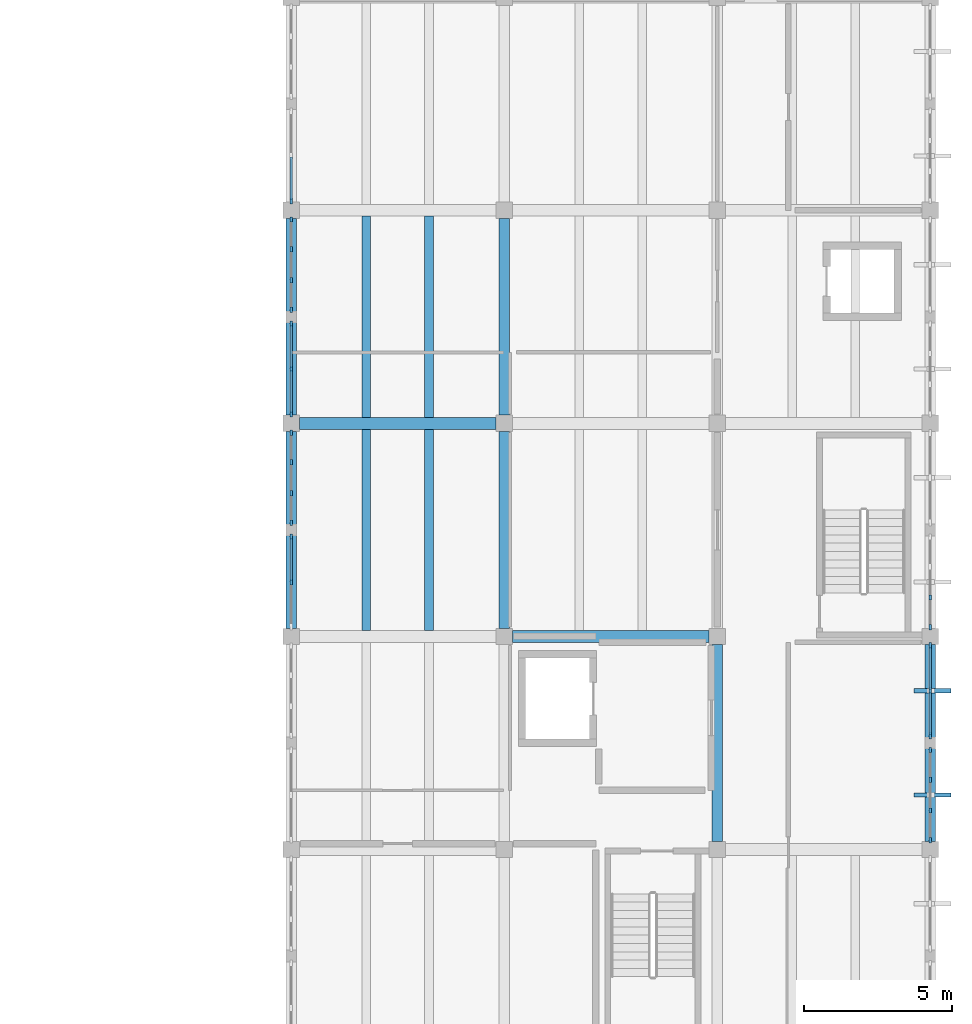
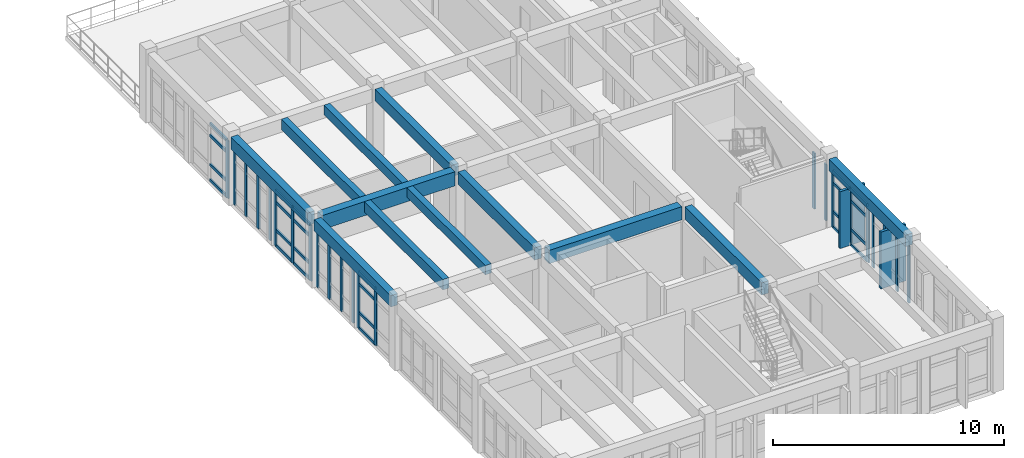
# One storey, part 4 of 22: 49 members, 12 beams, 8 elements without a shape of their own.
"""IFC4 building model written with IfcOpenShell, lengths in metres."""

import ifcopenshell
import ifcopenshell.guid

model = None  # the IFC model being written
_history = None  # IfcOwnerHistory: only IFC2X3 demands one
_inside = {}  # id of a spatial element -> (the spatial element, [elements in it])
_under = {}  # id of a project, library or spatial element -> (it, [spatial elements below it])
_declared = {}  # id of a project -> (the project, [libraries it declares])
_typed = {}  # id of a type object -> (the type object, [elements of that type])
_made_of = {}  # id of a material, layer set ... -> (it, [elements and type objects made of it])


def new_model(schema):
    """Start an empty IFC model of exactly this schema.

    Asked for "IFC4X3", IfcOpenShell would pick the latest addendum, in which some entities
    have other attributes; the version numbers below select the first issue.
    IFC2X3 requires an IfcOwnerHistory on every rooted entity: one is made here for all.
    """
    global model, _history
    if schema == "IFC4X3":
        model = ifcopenshell.file(schema_version=(4, 3, 0, 0))
    else:
        model = ifcopenshell.file(schema=schema)
    _inside.clear()
    _under.clear()
    _declared.clear()
    _typed.clear()
    _made_of.clear()
    _history = None
    if model.schema == "IFC2X3":
        org = make("IfcOrganization", Name="unknown")
        user = make(
            "IfcPersonAndOrganization",
            ThePerson=make("IfcPerson", FamilyName="unknown"),
            TheOrganization=org,
        )
        app = make(
            "IfcApplication",
            ApplicationDeveloper=org,
            Version="unknown",
            ApplicationFullName="unknown",
            ApplicationIdentifier="unknown",
        )
        _history = make(
            "IfcOwnerHistory",
            OwningUser=user,
            OwningApplication=app,
            ChangeAction="ADDED",
            CreationDate=0,
        )
    return model


def make(cls, **values):
    """One entity of the class cls with the attributes given. An attribute that is None is left unset."""
    return model.create_entity(
        cls, **{name: value for name, value in values.items() if value is not None}
    )


def rooted(cls, **values):
    """An entity with a GlobalId (a new one), such as an element, a storey or a relation."""
    return make(cls, GlobalId=ifcopenshell.guid.new(), OwnerHistory=_history, **values)


def si_unit(unit_type, name, prefix=None):
    """IfcSIUnit, for example si_unit("LENGTHUNIT", "METRE", prefix="MILLI")."""
    return make("IfcSIUnit", UnitType=unit_type, Prefix=prefix, Name=name)


def assignment(units):
    """IfcUnitAssignment: the units of a project."""
    return None if units is None else make("IfcUnitAssignment", Units=units)


def point(xyz):
    """IfcCartesianPoint."""
    return None if xyz is None else make("IfcCartesianPoint", Coordinates=xyz)


def direction(xyz):
    """IfcDirection."""
    return None if xyz is None else make("IfcDirection", DirectionRatios=xyz)


def frame(location, z_axis=None, x_axis=None):
    """IfcAxis2Placement3D, a coordinate frame: its origin and axes. An axis left out is left unset."""
    return make(
        "IfcAxis2Placement3D",
        Location=point(location),
        Axis=direction(z_axis),
        RefDirection=direction(x_axis),
    )


def frame_2d(location, x_axis=None):
    """IfcAxis2Placement2D, a coordinate frame in the plane: its origin and x axis."""
    return make(
        "IfcAxis2Placement2D", Location=point(location), RefDirection=direction(x_axis)
    )


def origin():
    """The frame at (0, 0, 0) with its axes left unset."""
    return frame((0.0, 0.0, 0.0))


def origin_2d():
    """The frame at (0, 0) in the plane with its x axis left unset."""
    return frame_2d((0.0, 0.0))


def place(relative_to, where):
    """IfcLocalPlacement: puts the frame where relative to a parent placement (None: the world)."""
    return make(
        "IfcLocalPlacement", PlacementRelTo=relative_to, RelativePlacement=where
    )


def context(
    kind, dimensions, precision=None, world=None, true_north=None, identifier=None
):
    """IfcGeometricRepresentationContext, for example the 3D "Model" context."""
    return make(
        "IfcGeometricRepresentationContext",
        ContextIdentifier=identifier,
        ContextType=kind,
        CoordinateSpaceDimension=dimensions,
        Precision=precision,
        WorldCoordinateSystem=world,
        TrueNorth=true_north,
    )


def subcontext(parent, identifier, kind, view, scale=None):
    """IfcGeometricRepresentationSubContext, for example "Body" below "Model"."""
    return make(
        "IfcGeometricRepresentationSubContext",
        ContextIdentifier=identifier,
        ContextType=kind,
        ParentContext=parent,
        TargetScale=scale,
        TargetView=view,
    )


def project(units=None, contexts=None):
    """IfcProject with its units and contexts."""
    return rooted(
        "IfcProject",
        Name="project",
        RepresentationContexts=contexts,
        UnitsInContext=assignment(units),
    )


def spatial(cls, under=None, at=None, **own):
    """A site, building, storey or space (cls), placed at a placement, below another one or the project."""
    s = rooted(cls, ObjectPlacement=at, **own)
    if under is not None:
        _under.setdefault(under.id(), (under, []))[1].append(s)
    return s


def profile(cls, at=None, kind="AREA", **sizes):
    """A parametric profile (cls). Its sizes go by their IFC names, for example OverallWidth=200.0."""
    return make(cls, ProfileType=kind, Position=at, **sizes)


def rectangle(**sizes):
    """IfcRectangleProfileDef."""
    return profile("IfcRectangleProfileDef", **sizes)


def extrude(swept, where, along, depth):
    """IfcExtrudedAreaSolid: the profile swept, set in the frame where, extruded along a direction by depth."""
    return make(
        "IfcExtrudedAreaSolid",
        SweptArea=swept,
        Position=where,
        ExtrudedDirection=direction(along),
        Depth=depth,
    )


def shape(context_of_items, identifier, shape_type, items):
    """IfcShapeRepresentation: the items that make up one representation, for example the "Body"."""
    return make(
        "IfcShapeRepresentation",
        ContextOfItems=context_of_items,
        RepresentationIdentifier=identifier,
        RepresentationType=shape_type,
        Items=items,
    )


def material(Name=None, Category=None):
    """IfcMaterial."""
    return make("IfcMaterial", Name=Name, Category=Category)


def layer(
    of_material, thickness, ventilated=None, Name=None, Category=None, Priority=None
):
    """IfcMaterialLayer: one layer of a wall or slab, of a material (None: an air gap)."""
    return make(
        "IfcMaterialLayer",
        Material=of_material,
        LayerThickness=thickness,
        IsVentilated=ventilated,
        Name=Name,
        Category=Category,
        Priority=Priority,
    )


def layer_set(layers, Name=None):
    """IfcMaterialLayerSet."""
    return make("IfcMaterialLayerSet", MaterialLayers=layers, LayerSetName=Name)


def material_profile(
    of_material, cross_section, Name=None, Category=None, Priority=None
):
    """IfcMaterialProfile: a cross section and its material."""
    return make(
        "IfcMaterialProfile",
        Name=Name,
        Material=of_material,
        Profile=cross_section,
        Priority=Priority,
        Category=Category,
    )


def profile_set(profiles, Name=None, composite=None):
    """IfcMaterialProfileSet."""
    return make(
        "IfcMaterialProfileSet",
        Name=Name,
        MaterialProfiles=profiles,
        CompositeProfile=composite,
    )


def made_of(thing, what):
    """Note that an element or type object is made of a material, layer set ...; save() writes the relation."""
    if what is not None:
        _made_of.setdefault(what.id(), (what, []))[1].append(thing)
    return thing


def type_object(cls, material=None, **own):
    """A type object (cls), such as IfcWallType, which elements share."""
    return made_of(rooted(cls, **own), material)


def element(
    cls,
    number,
    at=None,
    inside=None,
    cuts=None,
    type_object=None,
    material=None,
    context=None,
    identifier="Body",
    shape_type=None,
    held_by="IfcProductDefinitionShape",
    body=None,
    shapes=None,
    **own,
):
    """One element of the class cls, such as IfcWall. Its Tag is "e" and its number.

    at: its placement. inside: the storey or other place that contains it. cuts: it is an
    opening in that element (IfcRelVoidsElement). A single representation is given by context,
    identifier, shape_type and body (its items); several are given by shapes. held_by: the class
    of the entity that holds the representations. save() writes the other relations.
    """
    e = rooted(cls, Tag="e%d" % number, ObjectPlacement=at, **own)
    if body is not None:
        shapes = [shape(context, identifier, shape_type, body)]
    if shapes is not None:
        e.Representation = make(held_by, Representations=shapes)
    if inside is not None:
        _inside.setdefault(inside.id(), (inside, []))[1].append(e)
    if cuts is not None:
        rooted(
            "IfcRelVoidsElement", RelatingBuildingElement=cuts, RelatedOpeningElement=e
        )
    if type_object is not None:
        _typed.setdefault(type_object.id(), (type_object, []))[1].append(e)
    return made_of(e, material)


def aggregate(whole, parts):
    """IfcRelAggregates: a whole, such as a stair, and the parts it consists of."""
    return rooted("IfcRelAggregates", RelatingObject=whole, RelatedObjects=parts)


def save(model, path):
    """Write the relations noted so far, then the file.

    IfcRelAggregates (storeys below a building ...), IfcRelContainedInSpatialStructure (elements
    in a storey), IfcRelDefinesByType, IfcRelAssociatesMaterial and IfcRelDeclares: one each for
    every whole, place, type object, material and project.
    """
    for whole, parts in _under.values():
        aggregate(whole, parts)
    for where, things in _inside.values():
        rooted(
            "IfcRelContainedInSpatialStructure",
            RelatedElements=things,
            RelatingStructure=where,
        )
    for kind, things in _typed.values():
        rooted("IfcRelDefinesByType", RelatedObjects=things, RelatingType=kind)
    for what, things in _made_of.values():
        rooted("IfcRelAssociatesMaterial", RelatedObjects=things, RelatingMaterial=what)
    for by, libraries in _declared.values():
        rooted("IfcRelDeclares", RelatingContext=by, RelatedDefinitions=libraries)
    model.write(path)


model = new_model("IFC4")

# Units and contexts
model_context = context("Model", 3, precision=1e-05, world=origin(), true_north=direction((0.0, 1.0)))
body_context = subcontext(model_context, "Body", "Model", "MODEL_VIEW")
ifc_project = project(units=[si_unit("LENGTHUNIT", "METRE"), si_unit("AREAUNIT", "SQUARE_METRE"), si_unit("VOLUMEUNIT", "CUBIC_METRE"), si_unit("PLANEANGLEUNIT", "RADIAN"), si_unit("MASSUNIT", "GRAM", prefix="KILO")], contexts=[model_context])

# Site, building, storey
site_placement = place(None, origin())
site = spatial("IfcSite", under=ifc_project, at=site_placement, CompositionType="ELEMENT")
building_placement = place(site_placement, origin())
building = spatial("IfcBuilding", under=site, at=building_placement, Name="Koriwan Promenade Central Fire Station", CompositionType="ELEMENT")
storey_placement = place(building_placement, frame((0.0, 0.0, 17.39990234375)))
storey = spatial("IfcBuildingStorey", under=building, at=storey_placement, Name="L04", CompositionType="ELEMENT", Elevation=17.39990234375)

# Beams
ifc_material_1 = material(Name="Concrete C35/45", Category="concrete")
ifc_material_profile_1 = material_profile(ifc_material_1, rectangle(XDim=0.300048828125, YDim=0.5, at=origin_2d()), Name="RC-BM-300x500")
ifc_profile_set_1 = profile_set([ifc_material_profile_1], Name="Concrete C35/45")
beam_type_1 = type_object("IfcBeamType", Name="Beam_RC-BM-300x500", PredefinedType="JOIST", material=ifc_profile_set_1)
beam_1_placement = place(storey_placement, frame((155.864013671875, 14.60009765625, 3.3701171875), z_axis=(0.0, 1.0, 0.0), x_axis=(-1.0, 0.0, 0.0)))
element("IfcBeam", 1, at=beam_1_placement, inside=storey, type_object=beam_type_1, Name="V5 L04 secondary joist 973", PredefinedType="JOIST", context=body_context, shape_type="SweptSolid", body=[
    extrude(rectangle(XDim=0.300048828125, YDim=0.5, at=origin_2d()), origin(), (0.0, 0.0, 1.0), 6.7998046875),
])
beam_2_placement = place(storey_placement, frame((155.864013671875, 21.800048828125, 3.3701171875), z_axis=(0.0, 1.0, 0.0), x_axis=(-1.0, 0.0, 0.0)))
element("IfcBeam", 2, at=beam_2_placement, inside=storey, type_object=beam_type_1, Name="V5 L04 secondary joist 977", PredefinedType="JOIST", context=body_context, shape_type="SweptSolid", body=[
    extrude(rectangle(XDim=0.300048828125, YDim=0.5, at=origin_2d()), origin(), (0.0, 0.0, 1.0), 6.800048828125),
])
ifc_material_profile_2 = material_profile(ifc_material_1, rectangle(XDim=0.300048828125, YDim=0.550048828125, at=origin_2d()), Name="RC-BM-300x550")
ifc_profile_set_2 = profile_set([ifc_material_profile_2], Name="Concrete C35/45")
beam_type_2 = type_object("IfcBeamType", Name="Beam_RC-BM-300x550", PredefinedType="JOIST", material=ifc_profile_set_2)
beam_3_placement = place(storey_placement, frame((153.736083984375, 14.60009765625, 3.34521484375), z_axis=(0.0, 1.0, 0.0), x_axis=(-1.0, 0.0, 0.0)))
element("IfcBeam", 3, at=beam_3_placement, inside=storey, type_object=beam_type_2, Name="V5 L04 secondary joist 972", PredefinedType="JOIST", context=body_context, shape_type="SweptSolid", body=[
    extrude(rectangle(XDim=0.300048828125, YDim=0.550048828125, at=origin_2d()), origin(), (0.0, 0.0, 1.0), 6.7998046875),
])
beam_4_placement = place(storey_placement, frame((153.736083984375, 21.800048828125, 3.34521484375), z_axis=(0.0, 1.0, 0.0), x_axis=(-1.0, 0.0, 0.0)))
element("IfcBeam", 4, at=beam_4_placement, inside=storey, type_object=beam_type_2, Name="V5 L04 secondary joist 976", PredefinedType="JOIST", context=body_context, shape_type="SweptSolid", body=[
    extrude(rectangle(XDim=0.300048828125, YDim=0.550048828125, at=origin_2d()), origin(), (0.0, 0.0, 1.0), 6.800048828125),
])
ifc_material_profile_3 = material_profile(ifc_material_1, rectangle(XDim=0.35009765625, YDim=0.60009765625, at=origin_2d()), Name="RC-BM-350x600")
ifc_profile_set_3 = profile_set([ifc_material_profile_3], Name="Concrete C35/45")
beam_type_3 = type_object("IfcBeamType", Name="Beam_RC-BM-350x600", PredefinedType="BEAM", material=ifc_profile_set_3)
for number, where, z_axis, x_axis, name in (
    (5, (151.199951171875, 14.675048828125, 3.320068359375), (0.0, 1.0, 0.0), (-1.0, 0.0, 0.0), "V5 L04 girder Y-948"),
    (6, (158.39990234375, 21.875, 3.320068359375), (0.0, 1.0, 0.0), (-1.0, 0.0, 0.0), "V5 L04 girder Y-954"),
    (7, (172.800048828125, 7.47509765625, 3.320068359375), (0.0, 1.0, 0.0), (-1.0, 0.0, 0.0), "V5 L04 girder Y-962"),
):
    element("IfcBeam", number, at=place(storey_placement, frame(where, z_axis=z_axis, x_axis=x_axis)), inside=storey, type_object=beam_type_3, Name=name, PredefinedType="BEAM", context=body_context, shape_type="SweptSolid", body=[
        extrude(rectangle(XDim=0.35009765625, YDim=0.60009765625, at=origin_2d()), origin(), (0.0, 0.0, 1.0), 6.64990234375),
    ])
ifc_material_profile_4 = material_profile(ifc_material_1, rectangle(XDim=0.35009765625, YDim=0.64990234375, at=origin_2d()), Name="RC-BM-350x650")
ifc_profile_set_4 = profile_set([ifc_material_profile_4], Name="Concrete C35/45")
beam_type_4 = type_object("IfcBeamType", Name="Beam_RC-BM-350x650", PredefinedType="BEAM", material=ifc_profile_set_4)
for number, where, z_axis, x_axis, name in (
    (8, (151.199951171875, 21.875, 3.295166015625), (0.0, 1.0, 0.0), (-1.0, 0.0, 0.0), "V5 L04 girder Y-949"),
    (9, (158.39990234375, 14.675048828125, 3.295166015625), (0.0, 1.0, 0.0), (-1.0, 0.0, 0.0), "V5 L04 girder Y-953"),
    (10, (165.60009765625, 7.47509765625, 3.295166015625), (0.0, 1.0, 0.0), (-1.0, 0.0, 0.0), "V5 L04 girder Y-957"),
):
    element("IfcBeam", number, at=place(storey_placement, frame(where, z_axis=z_axis, x_axis=x_axis)), inside=storey, type_object=beam_type_4, Name=name, PredefinedType="BEAM", context=body_context, shape_type="SweptSolid", body=[
        extrude(rectangle(XDim=0.35009765625, YDim=0.64990234375, at=origin_2d()), origin(), (0.0, 0.0, 1.0), 6.64990234375),
    ])
ifc_material_profile_5 = material_profile(ifc_material_1, rectangle(XDim=0.39990234375, YDim=0.699951171875, at=origin_2d()), Name="RC-BM-400x700")
ifc_profile_set_5 = profile_set([ifc_material_profile_5], Name="Concrete C35/45")
beam_type_5 = type_object("IfcBeamType", Name="Beam_RC-BM-400x700", PredefinedType="BEAM", material=ifc_profile_set_5)
beam_5_placement = place(storey_placement, frame((158.675048828125, 14.39990234375, 3.27001953125), z_axis=(1.0, 0.0, 0.0), x_axis=(0.0, 1.0, 0.0)))
element("IfcBeam", 11, at=beam_5_placement, inside=storey, type_object=beam_type_5, Name="V5 L04 girder X-936", PredefinedType="BEAM", context=body_context, shape_type="SweptSolid", body=[
    extrude(rectangle(XDim=0.39990234375, YDim=0.699951171875, at=origin_2d()), origin(), (0.0, 0.0, 1.0), 6.64990234375),
])
ifc_material_profile_6 = material_profile(ifc_material_1, rectangle(XDim=0.39990234375, YDim=0.75, at=origin_2d()), Name="RC-BM-400x750")
ifc_profile_set_6 = profile_set([ifc_material_profile_6], Name="Concrete C35/45")
beam_type_6 = type_object("IfcBeamType", Name="Beam_RC-BM-400x750", PredefinedType="BEAM", material=ifc_profile_set_6)
beam_6_placement = place(storey_placement, frame((151.47509765625, 21.60009765625, 3.2451171875), z_axis=(1.0, 0.0, 0.0), x_axis=(0.0, 1.0, 0.0)))
element("IfcBeam", 12, at=beam_6_placement, inside=storey, type_object=beam_type_6, Name="V5 L04 girder X-937", PredefinedType="BEAM", context=body_context, shape_type="SweptSolid", body=[
    extrude(rectangle(XDim=0.39990234375, YDim=0.75, at=origin_2d()), origin(), (0.0, 0.0, 1.0), 6.64990234375),
])

# Curtain wall, members
ifc_material_2 = material(Name="Aluminium EN AW-6063-T6 and low-E glazing", Category="aluminium")
ifc_layer_1 = layer(ifc_material_2, 0.159912109375, Name="Aluminium EN AW-6063-T6 and low-E glazing")
ifc_layer_set_1 = layer_set([ifc_layer_1], Name="Aluminium EN AW-6063-T6 and low-E glazing")
curtain_wall_type_1 = type_object("IfcCurtainWallType", Name="CurtainWall_84_312x301", PredefinedType="USERDEFINED", material=ifc_layer_set_1)
curtain_wall_1_placement = place(storey_placement, origin())
curtain_wall_1 = element("IfcCurtainWall", 13, at=curtain_wall_1_placement, inside=storey, type_object=curtain_wall_type_1, Name="V5 L04 unitised curtain wall 253", ObjectType="UNITISED CURTAIN WALL", PredefinedType="USERDEFINED")
ifc_material_3 = material(Name="Aluminium EN AW-6063-T6", Category="aluminium")
ifc_material_profile_7 = material_profile(ifc_material_3, rectangle(XDim=0.074951171875, YDim=0.179931640625, at=origin_2d()), Name="ALU-MUL-75x180")
ifc_profile_set_7 = profile_set([ifc_material_profile_7], Name="Aluminium EN AW-6063-T6")
member_type_1 = type_object("IfcMemberType", Name="CWMullion_ALU-MUL-75x180", PredefinedType="MULLION", material=ifc_profile_set_7)
member_1_placement = place(storey_placement, frame((172.800048828125, 7.512451171875, 0.0), z_axis=(0.0, 0.0, 1.0), x_axis=(-1.0, 0.0, 0.0)))
member_1 = element("IfcMember", 14, at=member_1_placement, type_object=member_type_1, Name="CW-84 mullion 1", PredefinedType="MULLION", context=body_context, shape_type="SweptSolid", body=[
    extrude(rectangle(XDim=0.074951171875, YDim=0.179931640625, at=origin_2d()), origin(), (0.0, 0.0, 1.0), 3.010009765625),
])
member_2_placement = place(storey_placement, frame((172.800048828125, 8.5166015625, 0.0), z_axis=(0.0, 0.0, 1.0), x_axis=(-1.0, 0.0, 0.0)))
member_2 = element("IfcMember", 15, at=member_2_placement, type_object=member_type_1, Name="CW-84 mullion 2", PredefinedType="MULLION", context=body_context, shape_type="SweptSolid", body=[
    extrude(rectangle(XDim=0.074951171875, YDim=0.179931640625, at=origin_2d()), origin(), (0.0, 0.0, 1.0), 3.010009765625),
])
member_3_placement = place(storey_placement, frame((172.800048828125, 9.558349609375, 0.0), z_axis=(0.0, 0.0, 1.0), x_axis=(-1.0, 0.0, 0.0)))
member_3 = element("IfcMember", 16, at=member_3_placement, type_object=member_type_1, Name="CW-84 mullion 3", PredefinedType="MULLION", context=body_context, shape_type="SweptSolid", body=[
    extrude(rectangle(XDim=0.074951171875, YDim=0.179931640625, at=origin_2d()), origin(), (0.0, 0.0, 1.0), 3.010009765625),
])
member_4_placement = place(storey_placement, frame((172.800048828125, 10.5625, 0.0), z_axis=(0.0, 0.0, 1.0), x_axis=(-1.0, 0.0, 0.0)))
member_4 = element("IfcMember", 17, at=member_4_placement, type_object=member_type_1, Name="CW-84 mullion 4", PredefinedType="MULLION", context=body_context, shape_type="SweptSolid", body=[
    extrude(rectangle(XDim=0.074951171875, YDim=0.179931640625, at=origin_2d()), origin(), (0.0, 0.0, 1.0), 3.010009765625),
])
aggregate(curtain_wall_1, [member_1, member_2, member_3, member_4])

ifc_layer_2 = layer(ifc_material_2, 0.159912109375, Name="Aluminium EN AW-6063-T6 and low-E glazing")
ifc_layer_set_2 = layer_set([ifc_layer_2], Name="Aluminium EN AW-6063-T6 and low-E glazing")
curtain_wall_type_2 = type_object("IfcCurtainWallType", Name="CurtainWall_82_312x296", PredefinedType="USERDEFINED", material=ifc_layer_set_2)
curtain_wall_2_placement = place(storey_placement, origin())
curtain_wall_2 = element("IfcCurtainWall", 18, at=curtain_wall_2_placement, inside=storey, type_object=curtain_wall_type_2, Name="V5 L04 unitised curtain wall 255", ObjectType="UNITISED CURTAIN WALL", PredefinedType="USERDEFINED")
member_5_placement = place(storey_placement, frame((172.800048828125, 14.71240234375, 0.0), z_axis=(0.0, 0.0, 1.0), x_axis=(-1.0, 0.0, 0.0)))
member_5 = element("IfcMember", 19, at=member_5_placement, type_object=member_type_1, Name="CW-82 mullion 1", PredefinedType="MULLION", context=body_context, shape_type="SweptSolid", body=[
    extrude(rectangle(XDim=0.074951171875, YDim=0.179931640625, at=origin_2d()), origin(), (0.0, 0.0, 1.0), 2.960205078125),
])
member_6_placement = place(storey_placement, frame((172.800048828125, 15.716552734375, 0.0), z_axis=(0.0, 0.0, 1.0), x_axis=(-1.0, 0.0, 0.0)))
member_6 = element("IfcMember", 20, at=member_6_placement, type_object=member_type_1, Name="CW-82 mullion 2", PredefinedType="MULLION", context=body_context, shape_type="SweptSolid", body=[
    extrude(rectangle(XDim=0.074951171875, YDim=0.179931640625, at=origin_2d()), origin(), (0.0, 0.0, 1.0), 2.960205078125),
])
aggregate(curtain_wall_2, [member_5, member_6])

curtain_wall_3_placement = place(storey_placement, origin())
curtain_wall_3 = element("IfcCurtainWall", 21, at=curtain_wall_3_placement, inside=storey, type_object=curtain_wall_type_2, Name="V5 L04 unitised curtain wall 263", ObjectType="UNITISED CURTAIN WALL", PredefinedType="USERDEFINED")
member_7_placement = place(storey_placement, frame((151.199951171875, 28.487548828125, 0.0), z_axis=(0.0, 0.0, 1.0), x_axis=(1.0, 0.0, 0.0)))
member_7 = element("IfcMember", 22, at=member_7_placement, type_object=member_type_1, Name="CW-82 mullion 1", PredefinedType="MULLION", context=body_context, shape_type="SweptSolid", body=[
    extrude(rectangle(XDim=0.074951171875, YDim=0.179931640625, at=origin_2d()), origin(), (0.0, 0.0, 1.0), 2.960205078125),
])
member_8_placement = place(storey_placement, frame((151.199951171875, 27.4833984375, 0.0), z_axis=(0.0, 0.0, 1.0), x_axis=(1.0, 0.0, 0.0)))
member_8 = element("IfcMember", 23, at=member_8_placement, type_object=member_type_1, Name="CW-82 mullion 2", PredefinedType="MULLION", context=body_context, shape_type="SweptSolid", body=[
    extrude(rectangle(XDim=0.074951171875, YDim=0.179931640625, at=origin_2d()), origin(), (0.0, 0.0, 1.0), 2.960205078125),
])
member_9_placement = place(storey_placement, frame((151.199951171875, 26.441650390625, 0.0), z_axis=(0.0, 0.0, 1.0), x_axis=(1.0, 0.0, 0.0)))
member_9 = element("IfcMember", 24, at=member_9_placement, type_object=member_type_1, Name="CW-82 mullion 3", PredefinedType="MULLION", context=body_context, shape_type="SweptSolid", body=[
    extrude(rectangle(XDim=0.074951171875, YDim=0.179931640625, at=origin_2d()), origin(), (0.0, 0.0, 1.0), 2.960205078125),
])
member_10_placement = place(storey_placement, frame((151.199951171875, 25.4375, 0.0), z_axis=(0.0, 0.0, 1.0), x_axis=(1.0, 0.0, 0.0)))
member_10 = element("IfcMember", 25, at=member_10_placement, type_object=member_type_1, Name="CW-82 mullion 4", PredefinedType="MULLION", context=body_context, shape_type="SweptSolid", body=[
    extrude(rectangle(XDim=0.074951171875, YDim=0.179931640625, at=origin_2d()), origin(), (0.0, 0.0, 1.0), 2.960205078125),
])
aggregate(curtain_wall_3, [member_7, member_8, member_9, member_10])

curtain_wall_4_placement = place(storey_placement, origin())
curtain_wall_4 = element("IfcCurtainWall", 26, at=curtain_wall_4_placement, inside=storey, type_object=curtain_wall_type_1, Name="V5 L04 unitised curtain wall 265", ObjectType="UNITISED CURTAIN WALL", PredefinedType="USERDEFINED")
member_11_placement = place(storey_placement, frame((151.199951171875, 21.28759765625, 0.0), z_axis=(0.0, 0.0, 1.0), x_axis=(1.0, 0.0, 0.0)))
member_11 = element("IfcMember", 27, at=member_11_placement, type_object=member_type_1, Name="CW-84 mullion 1", PredefinedType="MULLION", context=body_context, shape_type="SweptSolid", body=[
    extrude(rectangle(XDim=0.074951171875, YDim=0.179931640625, at=origin_2d()), origin(), (0.0, 0.0, 1.0), 3.010009765625),
])
member_12_placement = place(storey_placement, frame((151.199951171875, 20.283447265625, 0.0), z_axis=(0.0, 0.0, 1.0), x_axis=(1.0, 0.0, 0.0)))
member_12 = element("IfcMember", 28, at=member_12_placement, type_object=member_type_1, Name="CW-84 mullion 2", PredefinedType="MULLION", context=body_context, shape_type="SweptSolid", body=[
    extrude(rectangle(XDim=0.074951171875, YDim=0.179931640625, at=origin_2d()), origin(), (0.0, 0.0, 1.0), 3.010009765625),
])
member_13_placement = place(storey_placement, frame((151.199951171875, 19.24169921875, 0.0), z_axis=(0.0, 0.0, 1.0), x_axis=(1.0, 0.0, 0.0)))
member_13 = element("IfcMember", 29, at=member_13_placement, type_object=member_type_1, Name="CW-84 mullion 3", PredefinedType="MULLION", context=body_context, shape_type="SweptSolid", body=[
    extrude(rectangle(XDim=0.074951171875, YDim=0.179931640625, at=origin_2d()), origin(), (0.0, 0.0, 1.0), 3.010009765625),
])
member_14_placement = place(storey_placement, frame((151.199951171875, 18.237548828125, 0.0), z_axis=(0.0, 0.0, 1.0), x_axis=(1.0, 0.0, 0.0)))
member_14 = element("IfcMember", 30, at=member_14_placement, type_object=member_type_1, Name="CW-84 mullion 4", PredefinedType="MULLION", context=body_context, shape_type="SweptSolid", body=[
    extrude(rectangle(XDim=0.074951171875, YDim=0.179931640625, at=origin_2d()), origin(), (0.0, 0.0, 1.0), 3.010009765625),
])
aggregate(curtain_wall_4, [member_11, member_12, member_13, member_14])

ifc_layer_3 = layer(ifc_material_2, 0.159912109375, Name="Aluminium EN AW-6063-T6 and low-E glazing")
ifc_layer_set_3 = layer_set([ifc_layer_3], Name="Aluminium EN AW-6063-T6 and low-E glazing")
curtain_wall_type_3 = type_object("IfcCurtainWallType", Name="CurtainWall_85_312x301", PredefinedType="USERDEFINED", material=ifc_layer_set_3)
curtain_wall_5_placement = place(storey_placement, origin())
curtain_wall_5 = element("IfcCurtainWall", 31, at=curtain_wall_5_placement, inside=storey, type_object=curtain_wall_type_3, Name="V5 L04 unitised curtain wall 254", ObjectType="UNITISED CURTAIN WALL", PredefinedType="USERDEFINED")
ifc_material_profile_8 = material_profile(ifc_material_3, rectangle(XDim=0.080078125, YDim=0.2099609375, at=origin_2d()), Name="ALU-MUL-80x210")
ifc_profile_set_8 = profile_set([ifc_material_profile_8], Name="Aluminium EN AW-6063-T6")
member_type_2 = type_object("IfcMemberType", Name="CWMullion_ALU-MUL-80x210", PredefinedType="MULLION", material=ifc_profile_set_8)
member_15_placement = place(storey_placement, frame((172.800048828125, 11.0400390625, 0.0), z_axis=(0.0, 0.0, 1.0), x_axis=(-1.0, 0.0, 0.0)))
member_15 = element("IfcMember", 32, at=member_15_placement, type_object=member_type_2, Name="CW-85 mullion 1", PredefinedType="MULLION", context=body_context, shape_type="SweptSolid", body=[
    extrude(rectangle(XDim=0.080078125, YDim=0.2099609375, at=origin_2d()), origin(), (0.0, 0.0, 1.0), 3.010009765625),
])
member_16_placement = place(storey_placement, frame((172.800048828125, 12.5625, 0.0), z_axis=(0.0, 0.0, 1.0), x_axis=(-1.0, 0.0, 0.0)))
member_16 = element("IfcMember", 33, at=member_16_placement, type_object=member_type_2, Name="CW-85 mullion 2", PredefinedType="MULLION", context=body_context, shape_type="SweptSolid", body=[
    extrude(rectangle(XDim=0.080078125, YDim=0.2099609375, at=origin_2d()), origin(), (0.0, 0.0, 1.0), 3.010009765625),
])
member_17_placement = place(storey_placement, frame((172.800048828125, 14.0849609375, 0.0), z_axis=(0.0, 0.0, 1.0), x_axis=(-1.0, 0.0, 0.0)))
member_17 = element("IfcMember", 34, at=member_17_placement, type_object=member_type_2, Name="CW-85 mullion 3", PredefinedType="MULLION", context=body_context, shape_type="SweptSolid", body=[
    extrude(rectangle(XDim=0.080078125, YDim=0.2099609375, at=origin_2d()), origin(), (0.0, 0.0, 1.0), 3.010009765625),
])

# Curtain wall, member
ifc_layer_4 = layer(ifc_material_2, 0.159912109375, Name="Aluminium EN AW-6063-T6 and low-E glazing")
ifc_layer_set_4 = layer_set([ifc_layer_4], Name="Aluminium EN AW-6063-T6 and low-E glazing")
curtain_wall_type_4 = type_object("IfcCurtainWallType", Name="CurtainWall_89_313x305", PredefinedType="USERDEFINED", material=ifc_layer_set_4)
curtain_wall_6_placement = place(storey_placement, origin())
curtain_wall_6 = element("IfcCurtainWall", 35, at=curtain_wall_6_placement, inside=storey, type_object=curtain_wall_type_4, Name="V5 L04 unitised curtain wall 262", ObjectType="UNITISED CURTAIN WALL", PredefinedType="USERDEFINED")
member_18_placement = place(storey_placement, frame((151.199951171875, 29.114990234375, 0.0), z_axis=(0.0, 0.0, 1.0), x_axis=(1.0, 0.0, 0.0)))
member_18 = element("IfcMember", 36, at=member_18_placement, type_object=member_type_2, Name="CW-89 mullion 3", PredefinedType="MULLION", context=body_context, shape_type="SweptSolid", body=[
    extrude(rectangle(XDim=0.080078125, YDim=0.2099609375, at=origin_2d()), origin(), (0.0, 0.0, 1.0), 3.050048828125),
])

# Curtain wall, members
ifc_layer_5 = layer(ifc_material_2, 0.159912109375, Name="Aluminium EN AW-6063-T6 and low-E glazing")
ifc_layer_set_5 = layer_set([ifc_layer_5], Name="Aluminium EN AW-6063-T6 and low-E glazing")
curtain_wall_type_5 = type_object("IfcCurtainWallType", Name="CurtainWall_83_312x296", PredefinedType="USERDEFINED", material=ifc_layer_set_5)
curtain_wall_7_placement = place(storey_placement, origin())
curtain_wall_7 = element("IfcCurtainWall", 37, at=curtain_wall_7_placement, inside=storey, type_object=curtain_wall_type_5, Name="V5 L04 unitised curtain wall 264", ObjectType="UNITISED CURTAIN WALL", PredefinedType="USERDEFINED")
member_19_placement = place(storey_placement, frame((151.199951171875, 24.9599609375, 0.0), z_axis=(0.0, 0.0, 1.0), x_axis=(1.0, 0.0, 0.0)))
member_19 = element("IfcMember", 38, at=member_19_placement, type_object=member_type_2, Name="CW-83 mullion 1", PredefinedType="MULLION", context=body_context, shape_type="SweptSolid", body=[
    extrude(rectangle(XDim=0.080078125, YDim=0.2099609375, at=origin_2d()), origin(), (0.0, 0.0, 1.0), 2.960205078125),
])
member_20_placement = place(storey_placement, frame((151.199951171875, 23.4375, 0.0), z_axis=(0.0, 0.0, 1.0), x_axis=(1.0, 0.0, 0.0)))
member_20 = element("IfcMember", 39, at=member_20_placement, type_object=member_type_2, Name="CW-83 mullion 2", PredefinedType="MULLION", context=body_context, shape_type="SweptSolid", body=[
    extrude(rectangle(XDim=0.080078125, YDim=0.2099609375, at=origin_2d()), origin(), (0.0, 0.0, 1.0), 2.960205078125),
])
member_21_placement = place(storey_placement, frame((151.199951171875, 21.9150390625, 0.0), z_axis=(0.0, 0.0, 1.0), x_axis=(1.0, 0.0, 0.0)))
member_21 = element("IfcMember", 40, at=member_21_placement, type_object=member_type_2, Name="CW-83 mullion 3", PredefinedType="MULLION", context=body_context, shape_type="SweptSolid", body=[
    extrude(rectangle(XDim=0.080078125, YDim=0.2099609375, at=origin_2d()), origin(), (0.0, 0.0, 1.0), 2.960205078125),
])

curtain_wall_8_placement = place(storey_placement, origin())
curtain_wall_8 = element("IfcCurtainWall", 41, at=curtain_wall_8_placement, inside=storey, type_object=curtain_wall_type_3, Name="V5 L04 unitised curtain wall 266", ObjectType="UNITISED CURTAIN WALL", PredefinedType="USERDEFINED")
member_22_placement = place(storey_placement, frame((151.199951171875, 17.760009765625, 0.0), z_axis=(0.0, 0.0, 1.0), x_axis=(1.0, 0.0, 0.0)))
member_22 = element("IfcMember", 42, at=member_22_placement, type_object=member_type_2, Name="CW-85 mullion 1", PredefinedType="MULLION", context=body_context, shape_type="SweptSolid", body=[
    extrude(rectangle(XDim=0.080078125, YDim=0.2099609375, at=origin_2d()), origin(), (0.0, 0.0, 1.0), 3.010009765625),
])
member_23_placement = place(storey_placement, frame((151.199951171875, 16.237548828125, 0.0), z_axis=(0.0, 0.0, 1.0), x_axis=(1.0, 0.0, 0.0)))
member_23 = element("IfcMember", 43, at=member_23_placement, type_object=member_type_2, Name="CW-85 mullion 2", PredefinedType="MULLION", context=body_context, shape_type="SweptSolid", body=[
    extrude(rectangle(XDim=0.080078125, YDim=0.2099609375, at=origin_2d()), origin(), (0.0, 0.0, 1.0), 3.010009765625),
])

# Member
ifc_material_profile_9 = material_profile(ifc_material_3, rectangle(XDim=0.080078125, YDim=0.155029296875, at=origin_2d()), Name="ALU-TRN-80x155")
ifc_profile_set_9 = profile_set([ifc_material_profile_9], Name="Aluminium EN AW-6063-T6")
member_type_3 = type_object("IfcMemberType", Name="CWTransom_ALU-TRN-80x155", PredefinedType="USERDEFINED", material=ifc_profile_set_9)
member_24_placement = place(storey_placement, frame((172.800048828125, 11.080078125, 0.0400390625), z_axis=(0.0, 1.0, 0.0), x_axis=(-1.0, 0.0, 0.0)))
member_24 = element("IfcMember", 44, at=member_24_placement, type_object=member_type_3, Name="CW-85 transom 1.1", ObjectType="TRANSOM", PredefinedType="USERDEFINED", context=body_context, shape_type="SweptSolid", body=[
    extrude(rectangle(XDim=0.080078125, YDim=0.155029296875, at=origin_2d()), origin(), (0.0, 0.0, 1.0), 1.4423828125),
])

member_25_placement = place(storey_placement, frame((172.800048828125, 11.080078125, 0.85009765625), z_axis=(0.0, 1.0, 0.0), x_axis=(-1.0, 0.0, 0.0)))
member_25 = element("IfcMember", 45, at=member_25_placement, type_object=member_type_3, Name="CW-85 transom 1.2", ObjectType="TRANSOM", PredefinedType="USERDEFINED", context=body_context, shape_type="SweptSolid", body=[
    extrude(rectangle(XDim=0.080078125, YDim=0.155029296875, at=origin_2d()), origin(), (0.0, 0.0, 1.0), 1.4423828125),
])

member_26_placement = place(storey_placement, frame((172.800048828125, 11.080078125, 2.360107421875), z_axis=(0.0, 1.0, 0.0), x_axis=(-1.0, 0.0, 0.0)))
member_26 = element("IfcMember", 46, at=member_26_placement, type_object=member_type_3, Name="CW-85 transom 1.3", ObjectType="TRANSOM", PredefinedType="USERDEFINED", context=body_context, shape_type="SweptSolid", body=[
    extrude(rectangle(XDim=0.080078125, YDim=0.155029296875, at=origin_2d()), origin(), (0.0, 0.0, 1.0), 1.4423828125),
])

member_27_placement = place(storey_placement, frame((172.800048828125, 11.080078125, 2.97021484375), z_axis=(0.0, 1.0, 0.0), x_axis=(-1.0, 0.0, 0.0)))
member_27 = element("IfcMember", 47, at=member_27_placement, type_object=member_type_3, Name="CW-85 transom 1.4", ObjectType="TRANSOM", PredefinedType="USERDEFINED", context=body_context, shape_type="SweptSolid", body=[
    extrude(rectangle(XDim=0.080078125, YDim=0.155029296875, at=origin_2d()), origin(), (0.0, 0.0, 1.0), 1.4423828125),
])

member_28_placement = place(storey_placement, frame((172.800048828125, 12.6025390625, 0.0400390625), z_axis=(0.0, 1.0, 0.0), x_axis=(-1.0, 0.0, 0.0)))
member_28 = element("IfcMember", 48, at=member_28_placement, type_object=member_type_3, Name="CW-85 transom 2.1", ObjectType="TRANSOM", PredefinedType="USERDEFINED", context=body_context, shape_type="SweptSolid", body=[
    extrude(rectangle(XDim=0.080078125, YDim=0.155029296875, at=origin_2d()), origin(), (0.0, 0.0, 1.0), 1.4423828125),
])

member_29_placement = place(storey_placement, frame((172.800048828125, 12.6025390625, 0.85009765625), z_axis=(0.0, 1.0, 0.0), x_axis=(-1.0, 0.0, 0.0)))
member_29 = element("IfcMember", 49, at=member_29_placement, type_object=member_type_3, Name="CW-85 transom 2.2", ObjectType="TRANSOM", PredefinedType="USERDEFINED", context=body_context, shape_type="SweptSolid", body=[
    extrude(rectangle(XDim=0.080078125, YDim=0.155029296875, at=origin_2d()), origin(), (0.0, 0.0, 1.0), 1.4423828125),
])

member_30_placement = place(storey_placement, frame((172.800048828125, 12.6025390625, 2.360107421875), z_axis=(0.0, 1.0, 0.0), x_axis=(-1.0, 0.0, 0.0)))
member_30 = element("IfcMember", 50, at=member_30_placement, type_object=member_type_3, Name="CW-85 transom 2.3", ObjectType="TRANSOM", PredefinedType="USERDEFINED", context=body_context, shape_type="SweptSolid", body=[
    extrude(rectangle(XDim=0.080078125, YDim=0.155029296875, at=origin_2d()), origin(), (0.0, 0.0, 1.0), 1.4423828125),
])

member_31_placement = place(storey_placement, frame((172.800048828125, 12.6025390625, 2.97021484375), z_axis=(0.0, 1.0, 0.0), x_axis=(-1.0, 0.0, 0.0)))
member_31 = element("IfcMember", 51, at=member_31_placement, type_object=member_type_3, Name="CW-85 transom 2.4", ObjectType="TRANSOM", PredefinedType="USERDEFINED", context=body_context, shape_type="SweptSolid", body=[
    extrude(rectangle(XDim=0.080078125, YDim=0.155029296875, at=origin_2d()), origin(), (0.0, 0.0, 1.0), 1.4423828125),
])

aggregate(curtain_wall_5, [member_15, member_16, member_17, member_24, member_25, member_26, member_27, member_28, member_29, member_30, member_31])

member_32_placement = place(storey_placement, frame((151.199951171875, 30.597412109375, 0.0400390625), z_axis=(0.0, -1.0, 0.0), x_axis=(1.0, 0.0, 0.0)))
member_32 = element("IfcMember", 52, at=member_32_placement, type_object=member_type_3, Name="CW-89 transom 2.1", ObjectType="TRANSOM", PredefinedType="USERDEFINED", context=body_context, shape_type="SweptSolid", body=[
    extrude(rectangle(XDim=0.080078125, YDim=0.155029296875, at=origin_2d()), origin(), (0.0, 0.0, 1.0), 1.4423828125),
])

member_33_placement = place(storey_placement, frame((151.199951171875, 30.597412109375, 0.85009765625), z_axis=(0.0, -1.0, 0.0), x_axis=(1.0, 0.0, 0.0)))
member_33 = element("IfcMember", 53, at=member_33_placement, type_object=member_type_3, Name="CW-89 transom 2.2", ObjectType="TRANSOM", PredefinedType="USERDEFINED", context=body_context, shape_type="SweptSolid", body=[
    extrude(rectangle(XDim=0.080078125, YDim=0.155029296875, at=origin_2d()), origin(), (0.0, 0.0, 1.0), 1.4423828125),
])

member_34_placement = place(storey_placement, frame((151.199951171875, 30.597412109375, 2.400146484375), z_axis=(0.0, -1.0, 0.0), x_axis=(1.0, 0.0, 0.0)))
member_34 = element("IfcMember", 54, at=member_34_placement, type_object=member_type_3, Name="CW-89 transom 2.3", ObjectType="TRANSOM", PredefinedType="USERDEFINED", context=body_context, shape_type="SweptSolid", body=[
    extrude(rectangle(XDim=0.080078125, YDim=0.155029296875, at=origin_2d()), origin(), (0.0, 0.0, 1.0), 1.4423828125),
])

member_35_placement = place(storey_placement, frame((151.199951171875, 30.597412109375, 3.010009765625), z_axis=(0.0, -1.0, 0.0), x_axis=(1.0, 0.0, 0.0)))
member_35 = element("IfcMember", 55, at=member_35_placement, type_object=member_type_3, Name="CW-89 transom 2.4", ObjectType="TRANSOM", PredefinedType="USERDEFINED", context=body_context, shape_type="SweptSolid", body=[
    extrude(rectangle(XDim=0.080078125, YDim=0.155029296875, at=origin_2d()), origin(), (0.0, 0.0, 1.0), 1.4423828125),
])

aggregate(curtain_wall_6, [member_18, member_32, member_33, member_34, member_35])

member_36_placement = place(storey_placement, frame((151.199951171875, 24.919921875, 0.0400390625), z_axis=(0.0, -1.0, 0.0), x_axis=(1.0, 0.0, 0.0)))
member_36 = element("IfcMember", 56, at=member_36_placement, type_object=member_type_3, Name="CW-83 transom 1.1", ObjectType="TRANSOM", PredefinedType="USERDEFINED", context=body_context, shape_type="SweptSolid", body=[
    extrude(rectangle(XDim=0.080078125, YDim=0.155029296875, at=origin_2d()), origin(), (0.0, 0.0, 1.0), 1.4423828125),
])

member_37_placement = place(storey_placement, frame((151.199951171875, 24.919921875, 0.85009765625), z_axis=(0.0, -1.0, 0.0), x_axis=(1.0, 0.0, 0.0)))
member_37 = element("IfcMember", 57, at=member_37_placement, type_object=member_type_3, Name="CW-83 transom 1.2", ObjectType="TRANSOM", PredefinedType="USERDEFINED", context=body_context, shape_type="SweptSolid", body=[
    extrude(rectangle(XDim=0.080078125, YDim=0.155029296875, at=origin_2d()), origin(), (0.0, 0.0, 1.0), 1.4423828125),
])

member_38_placement = place(storey_placement, frame((151.199951171875, 24.919921875, 2.31005859375), z_axis=(0.0, -1.0, 0.0), x_axis=(1.0, 0.0, 0.0)))
member_38 = element("IfcMember", 58, at=member_38_placement, type_object=member_type_3, Name="CW-83 transom 1.3", ObjectType="TRANSOM", PredefinedType="USERDEFINED", context=body_context, shape_type="SweptSolid", body=[
    extrude(rectangle(XDim=0.080078125, YDim=0.155029296875, at=origin_2d()), origin(), (0.0, 0.0, 1.0), 1.4423828125),
])

member_39_placement = place(storey_placement, frame((151.199951171875, 24.919921875, 2.920166015625), z_axis=(0.0, -1.0, 0.0), x_axis=(1.0, 0.0, 0.0)))
member_39 = element("IfcMember", 59, at=member_39_placement, type_object=member_type_3, Name="CW-83 transom 1.4", ObjectType="TRANSOM", PredefinedType="USERDEFINED", context=body_context, shape_type="SweptSolid", body=[
    extrude(rectangle(XDim=0.080078125, YDim=0.155029296875, at=origin_2d()), origin(), (0.0, 0.0, 1.0), 1.4423828125),
])

member_40_placement = place(storey_placement, frame((151.199951171875, 23.3974609375, 0.0400390625), z_axis=(0.0, -1.0, 0.0), x_axis=(1.0, 0.0, 0.0)))
member_40 = element("IfcMember", 60, at=member_40_placement, type_object=member_type_3, Name="CW-83 transom 2.1", ObjectType="TRANSOM", PredefinedType="USERDEFINED", context=body_context, shape_type="SweptSolid", body=[
    extrude(rectangle(XDim=0.080078125, YDim=0.155029296875, at=origin_2d()), origin(), (0.0, 0.0, 1.0), 1.4423828125),
])

member_41_placement = place(storey_placement, frame((151.199951171875, 23.3974609375, 0.85009765625), z_axis=(0.0, -1.0, 0.0), x_axis=(1.0, 0.0, 0.0)))
member_41 = element("IfcMember", 61, at=member_41_placement, type_object=member_type_3, Name="CW-83 transom 2.2", ObjectType="TRANSOM", PredefinedType="USERDEFINED", context=body_context, shape_type="SweptSolid", body=[
    extrude(rectangle(XDim=0.080078125, YDim=0.155029296875, at=origin_2d()), origin(), (0.0, 0.0, 1.0), 1.4423828125),
])

member_42_placement = place(storey_placement, frame((151.199951171875, 23.3974609375, 2.31005859375), z_axis=(0.0, -1.0, 0.0), x_axis=(1.0, 0.0, 0.0)))
member_42 = element("IfcMember", 62, at=member_42_placement, type_object=member_type_3, Name="CW-83 transom 2.3", ObjectType="TRANSOM", PredefinedType="USERDEFINED", context=body_context, shape_type="SweptSolid", body=[
    extrude(rectangle(XDim=0.080078125, YDim=0.155029296875, at=origin_2d()), origin(), (0.0, 0.0, 1.0), 1.4423828125),
])

member_43_placement = place(storey_placement, frame((151.199951171875, 23.3974609375, 2.920166015625), z_axis=(0.0, -1.0, 0.0), x_axis=(1.0, 0.0, 0.0)))
member_43 = element("IfcMember", 63, at=member_43_placement, type_object=member_type_3, Name="CW-83 transom 2.4", ObjectType="TRANSOM", PredefinedType="USERDEFINED", context=body_context, shape_type="SweptSolid", body=[
    extrude(rectangle(XDim=0.080078125, YDim=0.155029296875, at=origin_2d()), origin(), (0.0, 0.0, 1.0), 1.4423828125),
])

aggregate(curtain_wall_7, [member_19, member_20, member_21, member_36, member_37, member_38, member_39, member_40, member_41, member_42, member_43])

member_44_placement = place(storey_placement, frame((151.199951171875, 17.719970703125, 0.0400390625), z_axis=(0.0, -1.0, 0.0), x_axis=(1.0, 0.0, 0.0)))
member_44 = element("IfcMember", 64, at=member_44_placement, type_object=member_type_3, Name="CW-85 transom 1.1", ObjectType="TRANSOM", PredefinedType="USERDEFINED", context=body_context, shape_type="SweptSolid", body=[
    extrude(rectangle(XDim=0.080078125, YDim=0.155029296875, at=origin_2d()), origin(), (0.0, 0.0, 1.0), 1.4423828125),
])

member_45_placement = place(storey_placement, frame((151.199951171875, 17.719970703125, 0.85009765625), z_axis=(0.0, -1.0, 0.0), x_axis=(1.0, 0.0, 0.0)))
member_45 = element("IfcMember", 65, at=member_45_placement, type_object=member_type_3, Name="CW-85 transom 1.2", ObjectType="TRANSOM", PredefinedType="USERDEFINED", context=body_context, shape_type="SweptSolid", body=[
    extrude(rectangle(XDim=0.080078125, YDim=0.155029296875, at=origin_2d()), origin(), (0.0, 0.0, 1.0), 1.4423828125),
])

member_46_placement = place(storey_placement, frame((151.199951171875, 17.719970703125, 2.360107421875), z_axis=(0.0, -1.0, 0.0), x_axis=(1.0, 0.0, 0.0)))
member_46 = element("IfcMember", 66, at=member_46_placement, type_object=member_type_3, Name="CW-85 transom 1.3", ObjectType="TRANSOM", PredefinedType="USERDEFINED", context=body_context, shape_type="SweptSolid", body=[
    extrude(rectangle(XDim=0.080078125, YDim=0.155029296875, at=origin_2d()), origin(), (0.0, 0.0, 1.0), 1.4423828125),
])

member_47_placement = place(storey_placement, frame((151.199951171875, 17.719970703125, 2.97021484375), z_axis=(0.0, -1.0, 0.0), x_axis=(1.0, 0.0, 0.0)))
member_47 = element("IfcMember", 67, at=member_47_placement, type_object=member_type_3, Name="CW-85 transom 1.4", ObjectType="TRANSOM", PredefinedType="USERDEFINED", context=body_context, shape_type="SweptSolid", body=[
    extrude(rectangle(XDim=0.080078125, YDim=0.155029296875, at=origin_2d()), origin(), (0.0, 0.0, 1.0), 1.4423828125),
])

aggregate(curtain_wall_8, [member_22, member_23, member_44, member_45, member_46, member_47])

# Members
ifc_material_4 = material(Name="Aluminium EN AW-6063-T6 terracotta finish", Category="masonry")
ifc_material_profile_10 = material_profile(ifc_material_4, rectangle(XDim=0.139892578125, YDim=1.25, at=origin_2d()), Name="FIN-TRC-140x1250")
ifc_profile_set_10 = profile_set([ifc_material_profile_10], Name="Aluminium EN AW-6063-T6 terracotta finish")
member_type_4 = type_object("IfcMemberType", Name="SolarFin_FIN-TRC-140x1250", PredefinedType="USERDEFINED", material=ifc_profile_set_10)
for number, where, z_axis, x_axis, name in (
    (68, (172.875, 9.03759765625, 0.0), (0.0, 0.0, 1.0), (0.0, -1.0, 0.0), "V5 L04 terracotta solar fin 087"),
    (69, (172.875, 12.5625, 0.0), (0.0, 0.0, 1.0), (0.0, -1.0, 0.0), "V5 L04 terracotta solar fin 088"),
):
    element("IfcMember", number, at=place(storey_placement, frame(where, z_axis=z_axis, x_axis=x_axis)), inside=storey, type_object=member_type_4, Name=name, ObjectType="SOLAR FIN", PredefinedType="USERDEFINED", context=body_context, shape_type="SweptSolid", body=[
        extrude(rectangle(XDim=0.139892578125, YDim=1.25, at=origin_2d()), origin(), (0.0, 0.0, 1.0), 3.010009765625),
    ])

save(model, "model.ifc")
